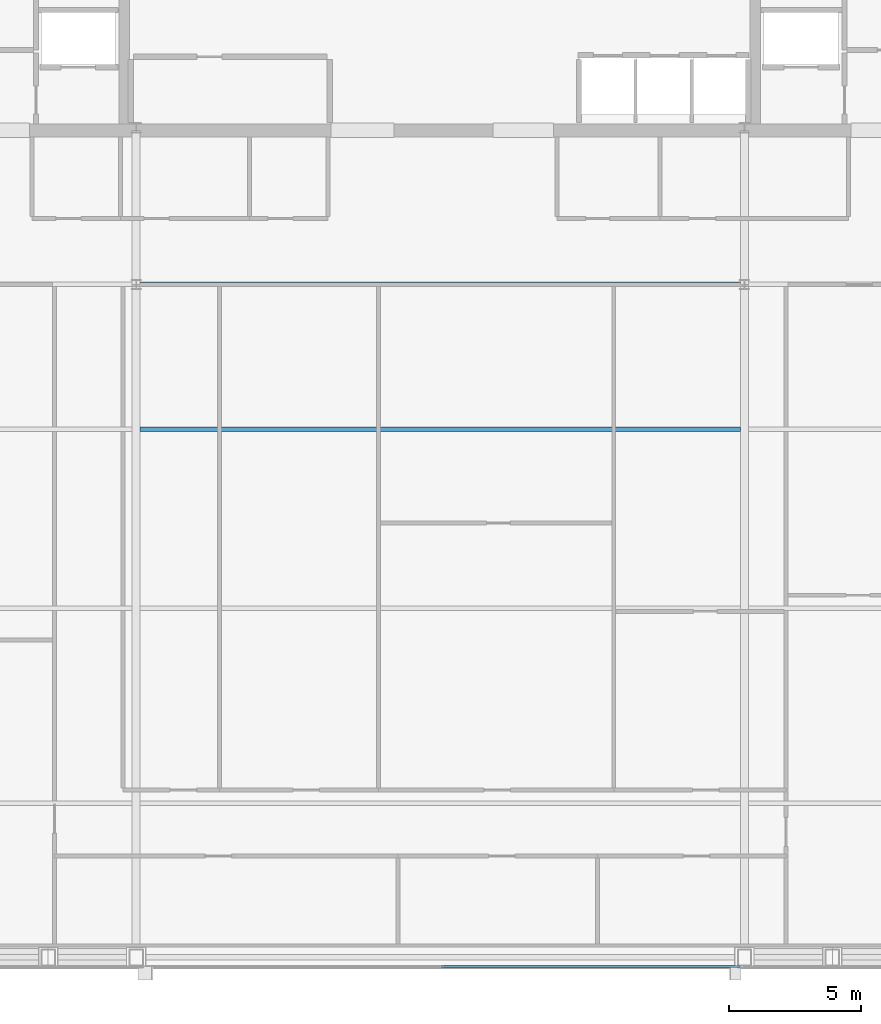
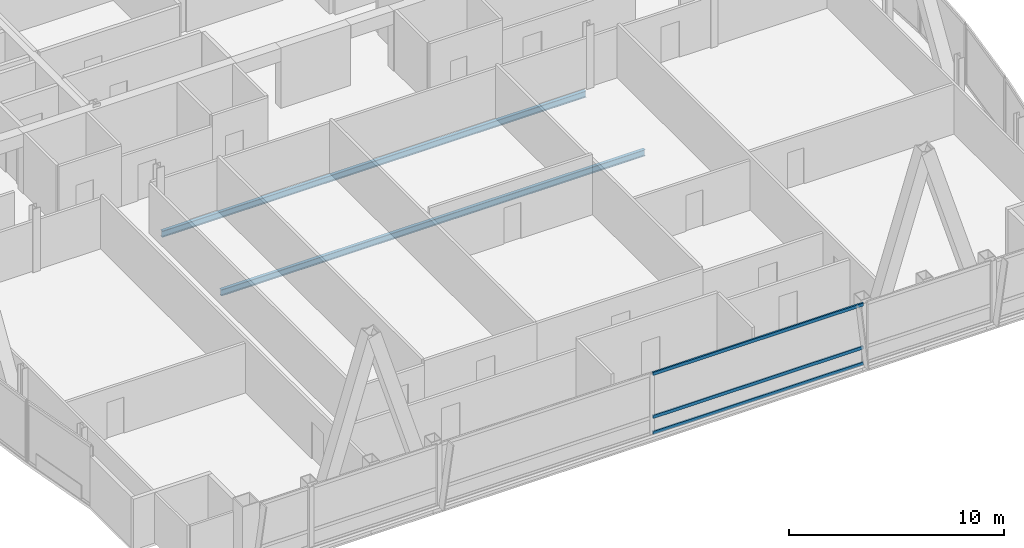
# One storey, part 12 of 29: 3 members, 2 beams, 1 element without a shape of its own.
"""IFC4 building model written with IfcOpenShell, lengths in metres."""

from ifc_helpers import new_model, si_unit, direction, frame, origin, origin_2d, place, context, subcontext, project, spatial, hollow_rectangle, i_section, extrude, material, material_profile, profile_set, type_object, element, aggregate, save


model = new_model("IFC4")

# Units and contexts
model_context = context("Model", 3, precision=1e-05, world=origin(), true_north=direction((0.0, 1.0)))
body_context = subcontext(model_context, "Body", "Model", "MODEL_VIEW")
ifc_project = project(units=[si_unit("LENGTHUNIT", "METRE"), si_unit("AREAUNIT", "SQUARE_METRE"), si_unit("VOLUMEUNIT", "CUBIC_METRE"), si_unit("PLANEANGLEUNIT", "RADIAN"), si_unit("MASSUNIT", "GRAM", prefix="KILO")], contexts=[model_context])

# Site, building, storey
site_placement = place(None, origin())
site = spatial("IfcSite", under=ifc_project, at=site_placement, CompositionType="ELEMENT")
building_placement = place(site_placement, origin())
building = spatial("IfcBuilding", under=site, at=building_placement, Name="Khoronbel Lancet Exchange", CompositionType="ELEMENT")
storey_placement = place(building_placement, frame((0.0, 0.0, 336.199951171875)))
storey = spatial("IfcBuildingStorey", under=building, at=storey_placement, Name="L87", CompositionType="ELEMENT", Elevation=336.199951171875)

# Beams
ifc_material_1 = material(Name="Steel S355", Category="steel")
ifc_material_profile_1 = material_profile(ifc_material_1, i_section(OverallWidth=0.169921875, OverallDepth=0.360107421875, WebThickness=0.008056640625, FlangeThickness=0.0126953125, at=origin_2d()), Name="IPE 360")
ifc_profile_set_1 = profile_set([ifc_material_profile_1], Name="Steel S355")
beam_type = type_object("IfcBeamType", Name="BM-BJ6", PredefinedType="JOIST", material=ifc_profile_set_1)
for number, where, z_axis, x_axis, name in (
    (1, (25.050048828125, 30.199951171875, -0.33984375), (1.0, 0.0, 0.0), (0.0, 1.0, 0.0), "Level L87 secondary composite joist J08"),
    (2, (25.050048828125, 35.699951171875, -0.33984375), (1.0, 0.0, 0.0), (0.0, 1.0, 0.0), "Level L87 secondary composite joist J11"),
):
    element("IfcBeam", number, at=place(storey_placement, frame(where, z_axis=z_axis, x_axis=x_axis)), inside=storey, type_object=beam_type, Name=name, PredefinedType="JOIST", context=body_context, shape_type="SweptSolid", body=[
        extrude(i_section(OverallWidth=0.169921875, OverallDepth=0.360107421875, WebThickness=0.008056640625, FlangeThickness=0.0126953125, at=origin_2d()), origin(), (0.0, 0.0, 1.0), 22.800048828125),
    ])

# Curtain wall, members
ifc_material_2 = material(Name="Low-E Solar Control Insulating Glass", Category="glass")
curtain_wall_type = type_object("IfcCurtainWallType", Name="CW-3", PredefinedType="NOTDEFINED", material=ifc_material_2)
curtain_wall_placement = place(storey_placement, origin())
curtain_wall = element("IfcCurtainWall", 3, at=curtain_wall_placement, inside=storey, type_object=curtain_wall_type, Name="Unitised curtain wall CW-L87-SCV", PredefinedType="NOTDEFINED")
ifc_material_3 = material(Name="Bronze-Anodised Aluminium 6063-T6", Category="aluminium")
ifc_material_profile_2 = material_profile(ifc_material_3, hollow_rectangle(XDim=0.0849609375, YDim=0.179931640625, WallThickness=0.0048828125, at=origin_2d()), Name="ALU TRANSOM 85x180")
ifc_profile_set_2 = profile_set([ifc_material_profile_2], Name="Bronze-Anodised Aluminium 6063-T6")
member_type = type_object("IfcMemberType", Name="MEM-CWT1", PredefinedType="USERDEFINED", material=ifc_profile_set_2)
member_1_placement = place(storey_placement, frame((36.492431640625, 9.7900390625, 0.04248046875), z_axis=(1.0, 0.0, 0.0), x_axis=(0.0, 1.0, 0.0)))
member_1 = element("IfcMember", 4, at=member_1_placement, type_object=member_type, Name="CW3 transom 2.1", ObjectType="TRANSOM", PredefinedType="USERDEFINED", context=body_context, shape_type="SweptSolid", body=[
    extrude(hollow_rectangle(XDim=0.0849609375, YDim=0.179931640625, WallThickness=0.0048828125, at=origin_2d()), origin(), (0.0, 0.0, 1.0), 11.322509765625),
])
member_2_placement = place(storey_placement, frame((36.492431640625, 9.7900390625, 0.949951171875), z_axis=(1.0, 0.0, 0.0), x_axis=(0.0, 1.0, 0.0)))
member_2 = element("IfcMember", 5, at=member_2_placement, type_object=member_type, Name="CW3 transom 2.2", ObjectType="TRANSOM", PredefinedType="USERDEFINED", context=body_context, shape_type="SweptSolid", body=[
    extrude(hollow_rectangle(XDim=0.0849609375, YDim=0.179931640625, WallThickness=0.0048828125, at=origin_2d()), origin(), (0.0, 0.0, 1.0), 11.322509765625),
])
member_3_placement = place(storey_placement, frame((36.492431640625, 9.7900390625, 3.3974609375), z_axis=(1.0, 0.0, 0.0), x_axis=(0.0, 1.0, 0.0)))
member_3 = element("IfcMember", 6, at=member_3_placement, type_object=member_type, Name="CW3 transom 2.3", ObjectType="TRANSOM", PredefinedType="USERDEFINED", context=body_context, shape_type="SweptSolid", body=[
    extrude(hollow_rectangle(XDim=0.0849609375, YDim=0.179931640625, WallThickness=0.0048828125, at=origin_2d()), origin(), (0.0, 0.0, 1.0), 11.322509765625),
])
aggregate(curtain_wall, [member_1, member_2, member_3])

save(model, "model.ifc")
